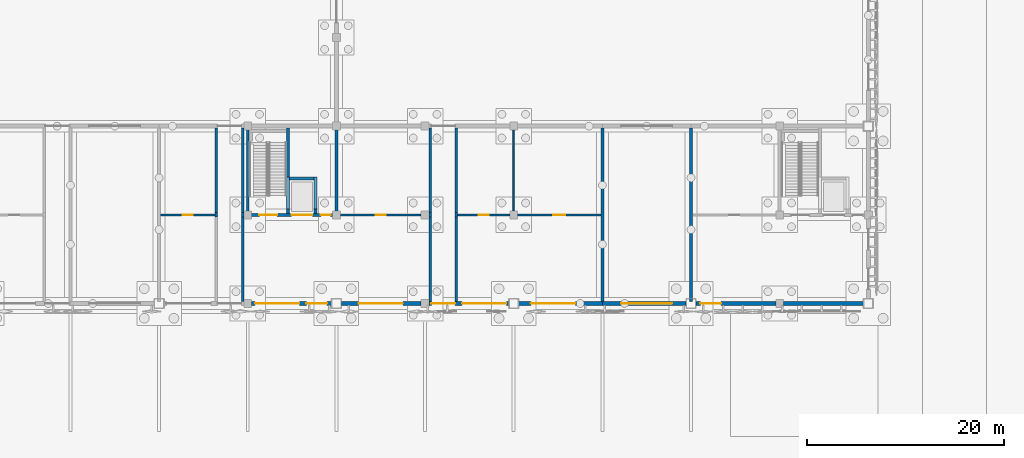
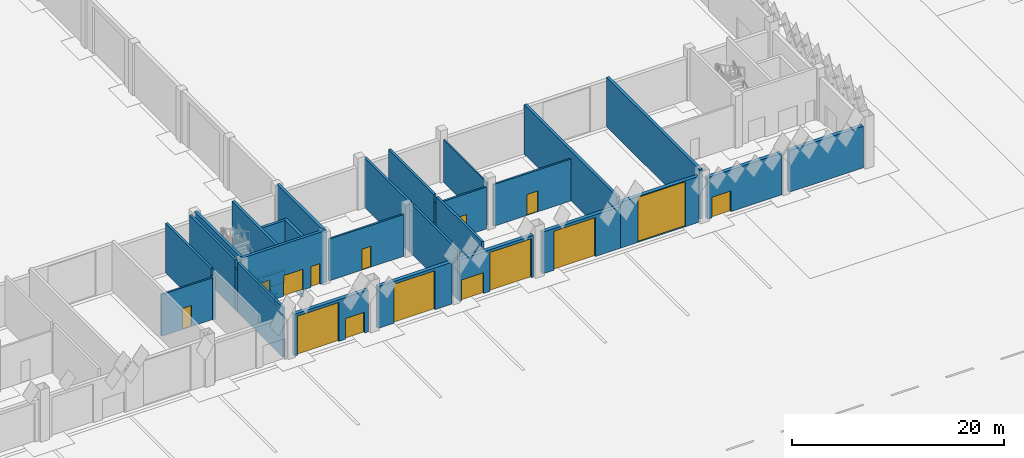
# One storey, part 87 of 198: 34 walls, 15 doors, 15 openings.
"""IFC4 building model written with IfcOpenShell, lengths in metres."""

import ifcopenshell
import ifcopenshell.guid

model = None  # the IFC model being written
_history = None  # IfcOwnerHistory: only IFC2X3 demands one
_inside = {}  # id of a spatial element -> (the spatial element, [elements in it])
_under = {}  # id of a project, library or spatial element -> (it, [spatial elements below it])
_declared = {}  # id of a project -> (the project, [libraries it declares])
_typed = {}  # id of a type object -> (the type object, [elements of that type])
_made_of = {}  # id of a material, layer set ... -> (it, [elements and type objects made of it])


def new_model(schema):
    """Start an empty IFC model of exactly this schema.

    Asked for "IFC4X3", IfcOpenShell would pick the latest addendum, in which some entities
    have other attributes; the version numbers below select the first issue.
    IFC2X3 requires an IfcOwnerHistory on every rooted entity: one is made here for all.
    """
    global model, _history
    if schema == "IFC4X3":
        model = ifcopenshell.file(schema_version=(4, 3, 0, 0))
    else:
        model = ifcopenshell.file(schema=schema)
    _inside.clear()
    _under.clear()
    _declared.clear()
    _typed.clear()
    _made_of.clear()
    _history = None
    if model.schema == "IFC2X3":
        org = make("IfcOrganization", Name="unknown")
        user = make(
            "IfcPersonAndOrganization",
            ThePerson=make("IfcPerson", FamilyName="unknown"),
            TheOrganization=org,
        )
        app = make(
            "IfcApplication",
            ApplicationDeveloper=org,
            Version="unknown",
            ApplicationFullName="unknown",
            ApplicationIdentifier="unknown",
        )
        _history = make(
            "IfcOwnerHistory",
            OwningUser=user,
            OwningApplication=app,
            ChangeAction="ADDED",
            CreationDate=0,
        )
    return model


def make(cls, **values):
    """One entity of the class cls with the attributes given. An attribute that is None is left unset."""
    return model.create_entity(
        cls, **{name: value for name, value in values.items() if value is not None}
    )


def rooted(cls, **values):
    """An entity with a GlobalId (a new one), such as an element, a storey or a relation."""
    return make(cls, GlobalId=ifcopenshell.guid.new(), OwnerHistory=_history, **values)


def si_unit(unit_type, name, prefix=None):
    """IfcSIUnit, for example si_unit("LENGTHUNIT", "METRE", prefix="MILLI")."""
    return make("IfcSIUnit", UnitType=unit_type, Prefix=prefix, Name=name)


def assignment(units):
    """IfcUnitAssignment: the units of a project."""
    return None if units is None else make("IfcUnitAssignment", Units=units)


def point(xyz):
    """IfcCartesianPoint."""
    return None if xyz is None else make("IfcCartesianPoint", Coordinates=xyz)


def direction(xyz):
    """IfcDirection."""
    return None if xyz is None else make("IfcDirection", DirectionRatios=xyz)


def frame(location, z_axis=None, x_axis=None):
    """IfcAxis2Placement3D, a coordinate frame: its origin and axes. An axis left out is left unset."""
    return make(
        "IfcAxis2Placement3D",
        Location=point(location),
        Axis=direction(z_axis),
        RefDirection=direction(x_axis),
    )


def frame_2d(location, x_axis=None):
    """IfcAxis2Placement2D, a coordinate frame in the plane: its origin and x axis."""
    return make(
        "IfcAxis2Placement2D", Location=point(location), RefDirection=direction(x_axis)
    )


def origin():
    """The frame at (0, 0, 0) with its axes left unset."""
    return frame((0.0, 0.0, 0.0))


def place(relative_to, where):
    """IfcLocalPlacement: puts the frame where relative to a parent placement (None: the world)."""
    return make(
        "IfcLocalPlacement", PlacementRelTo=relative_to, RelativePlacement=where
    )


def context(
    kind, dimensions, precision=None, world=None, true_north=None, identifier=None
):
    """IfcGeometricRepresentationContext, for example the 3D "Model" context."""
    return make(
        "IfcGeometricRepresentationContext",
        ContextIdentifier=identifier,
        ContextType=kind,
        CoordinateSpaceDimension=dimensions,
        Precision=precision,
        WorldCoordinateSystem=world,
        TrueNorth=true_north,
    )


def subcontext(parent, identifier, kind, view, scale=None):
    """IfcGeometricRepresentationSubContext, for example "Body" below "Model"."""
    return make(
        "IfcGeometricRepresentationSubContext",
        ContextIdentifier=identifier,
        ContextType=kind,
        ParentContext=parent,
        TargetScale=scale,
        TargetView=view,
    )


def project(units=None, contexts=None):
    """IfcProject with its units and contexts."""
    return rooted(
        "IfcProject",
        Name="project",
        RepresentationContexts=contexts,
        UnitsInContext=assignment(units),
    )


def spatial(cls, under=None, at=None, **own):
    """A site, building, storey or space (cls), placed at a placement, below another one or the project."""
    s = rooted(cls, ObjectPlacement=at, **own)
    if under is not None:
        _under.setdefault(under.id(), (under, []))[1].append(s)
    return s


def profile(cls, at=None, kind="AREA", **sizes):
    """A parametric profile (cls). Its sizes go by their IFC names, for example OverallWidth=200.0."""
    return make(cls, ProfileType=kind, Position=at, **sizes)


def rectangle(**sizes):
    """IfcRectangleProfileDef."""
    return profile("IfcRectangleProfileDef", **sizes)


def extrude(swept, where, along, depth):
    """IfcExtrudedAreaSolid: the profile swept, set in the frame where, extruded along a direction by depth."""
    return make(
        "IfcExtrudedAreaSolid",
        SweptArea=swept,
        Position=where,
        ExtrudedDirection=direction(along),
        Depth=depth,
    )


def shape(context_of_items, identifier, shape_type, items):
    """IfcShapeRepresentation: the items that make up one representation, for example the "Body"."""
    return make(
        "IfcShapeRepresentation",
        ContextOfItems=context_of_items,
        RepresentationIdentifier=identifier,
        RepresentationType=shape_type,
        Items=items,
    )


def material(Name=None, Category=None):
    """IfcMaterial."""
    return make("IfcMaterial", Name=Name, Category=Category)


def layer(
    of_material, thickness, ventilated=None, Name=None, Category=None, Priority=None
):
    """IfcMaterialLayer: one layer of a wall or slab, of a material (None: an air gap)."""
    return make(
        "IfcMaterialLayer",
        Material=of_material,
        LayerThickness=thickness,
        IsVentilated=ventilated,
        Name=Name,
        Category=Category,
        Priority=Priority,
    )


def layer_set(layers, Name=None):
    """IfcMaterialLayerSet."""
    return make("IfcMaterialLayerSet", MaterialLayers=layers, LayerSetName=Name)


def made_of(thing, what):
    """Note that an element or type object is made of a material, layer set ...; save() writes the relation."""
    if what is not None:
        _made_of.setdefault(what.id(), (what, []))[1].append(thing)
    return thing


def type_object(cls, material=None, **own):
    """A type object (cls), such as IfcWallType, which elements share."""
    return made_of(rooted(cls, **own), material)


def element(
    cls,
    number,
    at=None,
    inside=None,
    cuts=None,
    type_object=None,
    material=None,
    context=None,
    identifier="Body",
    shape_type=None,
    held_by="IfcProductDefinitionShape",
    body=None,
    shapes=None,
    **own,
):
    """One element of the class cls, such as IfcWall. Its Tag is "e" and its number.

    at: its placement. inside: the storey or other place that contains it. cuts: it is an
    opening in that element (IfcRelVoidsElement). A single representation is given by context,
    identifier, shape_type and body (its items); several are given by shapes. held_by: the class
    of the entity that holds the representations. save() writes the other relations.
    """
    e = rooted(cls, Tag="e%d" % number, ObjectPlacement=at, **own)
    if body is not None:
        shapes = [shape(context, identifier, shape_type, body)]
    if shapes is not None:
        e.Representation = make(held_by, Representations=shapes)
    if inside is not None:
        _inside.setdefault(inside.id(), (inside, []))[1].append(e)
    if cuts is not None:
        rooted(
            "IfcRelVoidsElement", RelatingBuildingElement=cuts, RelatedOpeningElement=e
        )
    if type_object is not None:
        _typed.setdefault(type_object.id(), (type_object, []))[1].append(e)
    return made_of(e, material)


def fill(opening, filler):
    """IfcRelFillsElement: the door or window that sits in an opening."""
    return rooted(
        "IfcRelFillsElement",
        RelatingOpeningElement=opening,
        RelatedBuildingElement=filler,
    )


def aggregate(whole, parts):
    """IfcRelAggregates: a whole, such as a stair, and the parts it consists of."""
    return rooted("IfcRelAggregates", RelatingObject=whole, RelatedObjects=parts)


def save(model, path):
    """Write the relations noted so far, then the file.

    IfcRelAggregates (storeys below a building ...), IfcRelContainedInSpatialStructure (elements
    in a storey), IfcRelDefinesByType, IfcRelAssociatesMaterial and IfcRelDeclares: one each for
    every whole, place, type object, material and project.
    """
    for whole, parts in _under.values():
        aggregate(whole, parts)
    for where, things in _inside.values():
        rooted(
            "IfcRelContainedInSpatialStructure",
            RelatedElements=things,
            RelatingStructure=where,
        )
    for kind, things in _typed.values():
        rooted("IfcRelDefinesByType", RelatedObjects=things, RelatingType=kind)
    for what, things in _made_of.values():
        rooted("IfcRelAssociatesMaterial", RelatedObjects=things, RelatingMaterial=what)
    for by, libraries in _declared.values():
        rooted("IfcRelDeclares", RelatingContext=by, RelatedDefinitions=libraries)
    model.write(path)


model = new_model("IFC4")

# Units and contexts
model_context = context("Model", 3, precision=1e-05, world=origin(), true_north=direction((0.0, 1.0)))
body_context = subcontext(model_context, "Body", "Model", "MODEL_VIEW")
ifc_project = project(units=[si_unit("LENGTHUNIT", "METRE"), si_unit("AREAUNIT", "SQUARE_METRE"), si_unit("VOLUMEUNIT", "CUBIC_METRE"), si_unit("PLANEANGLEUNIT", "RADIAN"), si_unit("MASSUNIT", "GRAM", prefix="KILO")], contexts=[model_context])

# Site, building, storey
site_placement = place(None, origin())
site = spatial("IfcSite", under=ifc_project, at=site_placement, CompositionType="ELEMENT")
building_placement = place(site_placement, origin())
building = spatial("IfcBuilding", under=site, at=building_placement, Name="Opaline Strait Convention Centre", CompositionType="ELEMENT")
storey_placement = place(building_placement, origin())
storey = spatial("IfcBuildingStorey", under=building, at=storey_placement, Name="L00", CompositionType="ELEMENT", Elevation=0.0)

# Wall, openings, doors
ifc_material_1 = material(Name="Concrete C40", Category="concrete")
ifc_layer_1 = layer(ifc_material_1, 0.25)
ifc_material_2 = material(Name="Mineral wool insulation")
ifc_layer_2 = layer(ifc_material_2, 0.10009765625)
ifc_material_3 = material(Name="Gypsum board lining")
ifc_layer_3 = layer(ifc_material_3, 0.050048828125)
ifc_layer_set_1 = layer_set([ifc_layer_1, ifc_layer_2, ifc_layer_3], Name="Concrete C40, Mineral wool insulation, Gypsum board lining")
wall_type_1 = type_object("IfcWallType", Name="External wall RC 400 insulated", PredefinedType="SOLIDWALL", material=ifc_layer_set_1)
wall_1_placement = place(storey_placement, frame((198.39990234375, 54.0, 0.0), z_axis=(0.0, 0.0, 1.0), x_axis=(1.0, 0.0, 0.0)))
wall_1 = element("IfcWall", 1, at=wall_1_placement, inside=storey, type_object=wall_type_1, Name="External wall S12", PredefinedType="SOLIDWALL", context=body_context, shape_type="SweptSolid", body=[
    extrude(rectangle(XDim=8.10009765625, YDim=0.39990234375, at=frame_2d((4.050048828125, 0.0))), origin(), (0.0, 0.0, 1.0), 4.820068359375),
])
opening_1_placement = place(wall_1_placement, frame((0.35009765625, 0.0, 0.0)))
opening_1 = element("IfcOpeningElement", 2, at=opening_1_placement, cuts=wall_1, Name="Opening X0-022", PredefinedType="OPENING", context=body_context, shape_type="SweptSolid", body=[
    extrude(rectangle(XDim=4.5, YDim=4.5, at=frame_2d((2.25, 2.25))), frame((0.0, 0.2099609375, 0.0), z_axis=(0.0, -1.0, 0.0), x_axis=(1.0, 0.0, 0.0)), (0.0, 0.0, 1.0), 0.419921875),
])
opening_2_placement = place(wall_1_placement, frame((5.550048828125, 0.0, 0.0)))
opening_2 = element("IfcOpeningElement", 3, at=opening_2_placement, cuts=wall_1, Name="Opening X0-023", PredefinedType="OPENING", context=body_context, shape_type="SweptSolid", body=[
    extrude(rectangle(XDim=2.10009765625, YDim=2.39990234375, at=frame_2d((1.050048828125, 1.199951171875))), frame((0.0, 0.2099609375, 0.0), z_axis=(0.0, -1.0, 0.0), x_axis=(1.0, 0.0, 0.0)), (0.0, 0.0, 1.0), 0.419921875),
])
ifc_material_4 = material(Name="Galvanised steel Q235B", Category="steel")
door_type_1 = type_object("IfcDoorType", Name="Dock leveller door 4500 x 4500", OperationType="ROLLINGUP", PredefinedType="DOOR", material=ifc_material_4)
door_1_placement = place(opening_1_placement, origin())
door_1 = element("IfcDoor", 4, at=door_1_placement, inside=storey, type_object=door_type_1, Name="Dock leveller door 13", ObjectType="XD5", OperationType="ROLLINGUP", OverallHeight=4.5, OverallWidth=4.5, PredefinedType="DOOR", context=body_context, shape_type="SweptSolid", body=[
    extrude(rectangle(XDim=4.5, YDim=4.5, at=frame_2d((2.25, 2.25))), frame((0.0, 0.02490234375, 0.0), z_axis=(0.0, -1.0, 0.0), x_axis=(1.0, 0.0, 0.0)), (0.0, 0.0, 1.0), 0.050048828125),
])
fill(opening_1, door_1)
ifc_material_5 = material(Name="Steel Q235B", Category="steel")
door_type_2 = type_object("IfcDoorType", Name="Dock pedestrian door pair 2100 x 2400", OperationType="DOUBLE_DOOR_SINGLE_SWING", PredefinedType="DOOR", material=ifc_material_5)
door_2_placement = place(opening_2_placement, frame((2.10009765625, 0.0, 0.0), z_axis=(0.0, 0.0, 1.0), x_axis=(-1.0, 0.0, 0.0)))
door_2 = element("IfcDoor", 5, at=door_2_placement, inside=storey, type_object=door_type_2, Name="Dock pedestrian door 14", ObjectType="XD6", OperationType="DOUBLE_DOOR_SINGLE_SWING", OverallHeight=2.39990234375, OverallWidth=2.10009765625, PredefinedType="DOOR", context=body_context, shape_type="SweptSolid", body=[
    extrude(rectangle(XDim=2.10009765625, YDim=2.39990234375, at=frame_2d((1.050048828125, 1.199951171875))), frame((0.0, 0.02490234375, 0.0), z_axis=(0.0, -1.0, 0.0), x_axis=(1.0, 0.0, 0.0)), (0.0, 0.0, 1.0), 0.050048828125),
])
fill(opening_2, door_2)

# Wall, opening, door
wall_2_placement = place(storey_placement, frame((207.5, 54.0, 0.0), z_axis=(0.0, 0.0, 1.0), x_axis=(1.0, 0.0, 0.0)))
wall_2 = element("IfcWall", 6, at=wall_2_placement, inside=storey, type_object=wall_type_1, Name="External wall S13", PredefinedType="SOLIDWALL", context=body_context, shape_type="SweptSolid", body=[
    extrude(rectangle(XDim=8.10009765625, YDim=0.39990234375, at=frame_2d((4.050048828125, 0.0))), origin(), (0.0, 0.0, 1.0), 4.820068359375),
])
opening_3_placement = place(wall_2_placement, frame((1.75, 0.0, 0.0)))
opening_3 = element("IfcOpeningElement", 7, at=opening_3_placement, cuts=wall_2, Name="Opening X0-024", PredefinedType="OPENING", context=body_context, shape_type="SweptSolid", body=[
    extrude(rectangle(XDim=4.5, YDim=4.5, at=frame_2d((2.25, 2.25))), frame((0.0, 0.2099609375, 0.0), z_axis=(0.0, -1.0, 0.0), x_axis=(1.0, 0.0, 0.0)), (0.0, 0.0, 1.0), 0.419921875),
])
door_3_placement = place(opening_3_placement, origin())
door_3 = element("IfcDoor", 8, at=door_3_placement, inside=storey, type_object=door_type_1, Name="Dock leveller door 15", ObjectType="XD5", OperationType="ROLLINGUP", OverallHeight=4.5, OverallWidth=4.5, PredefinedType="DOOR", context=body_context, shape_type="SweptSolid", body=[
    extrude(rectangle(XDim=4.5, YDim=4.5, at=frame_2d((2.25, 2.25))), frame((0.0, 0.02490234375, 0.0), z_axis=(0.0, -1.0, 0.0), x_axis=(1.0, 0.0, 0.0)), (0.0, 0.0, 1.0), 0.050048828125),
])
fill(opening_3, door_3)

# Wall, openings, doors
wall_3_placement = place(storey_placement, frame((216.39990234375, 54.0, 0.0), z_axis=(0.0, 0.0, 1.0), x_axis=(1.0, 0.0, 0.0)))
wall_3 = element("IfcWall", 9, at=wall_3_placement, inside=storey, type_object=wall_type_1, Name="External wall S14", PredefinedType="SOLIDWALL", context=body_context, shape_type="SweptSolid", body=[
    extrude(rectangle(XDim=8.10009765625, YDim=0.39990234375, at=frame_2d((4.050048828125, 0.0))), origin(), (0.0, 0.0, 1.0), 4.820068359375),
])
opening_4_placement = place(wall_3_placement, frame((3.35009765625, 0.0, 0.0)))
opening_4 = element("IfcOpeningElement", 10, at=opening_4_placement, cuts=wall_3, Name="Opening X0-025", PredefinedType="OPENING", context=body_context, shape_type="SweptSolid", body=[
    extrude(rectangle(XDim=4.5, YDim=4.5, at=frame_2d((2.25, 2.25))), frame((0.0, 0.2099609375, 0.0), z_axis=(0.0, -1.0, 0.0), x_axis=(1.0, 0.0, 0.0)), (0.0, 0.0, 1.0), 0.419921875),
])
opening_5_placement = place(wall_3_placement, frame((0.25, 0.0, 0.0)))
opening_5 = element("IfcOpeningElement", 11, at=opening_5_placement, cuts=wall_3, Name="Opening X0-033", PredefinedType="OPENING", context=body_context, shape_type="SweptSolid", body=[
    extrude(rectangle(XDim=2.39990234375, YDim=2.39990234375, at=frame_2d((1.199951171875, 1.199951171875))), frame((0.0, 0.2099609375, 0.0), z_axis=(0.0, -1.0, 0.0), x_axis=(1.0, 0.0, 0.0)), (0.0, 0.0, 1.0), 0.419921875),
])
door_4_placement = place(opening_4_placement, origin())
door_4 = element("IfcDoor", 12, at=door_4_placement, inside=storey, type_object=door_type_1, Name="Dock leveller door 16", ObjectType="XD5", OperationType="ROLLINGUP", OverallHeight=4.5, OverallWidth=4.5, PredefinedType="DOOR", context=body_context, shape_type="SweptSolid", body=[
    extrude(rectangle(XDim=4.5, YDim=4.5, at=frame_2d((2.25, 2.25))), frame((0.0, 0.02490234375, 0.0), z_axis=(0.0, -1.0, 0.0), x_axis=(1.0, 0.0, 0.0)), (0.0, 0.0, 1.0), 0.050048828125),
])
fill(opening_4, door_4)
door_type_3 = type_object("IfcDoorType", Name="Passage exit door pair 2400 x 2400", OperationType="DOUBLE_DOOR_SINGLE_SWING", PredefinedType="DOOR", material=ifc_material_5)
door_5_placement = place(opening_5_placement, frame((2.39990234375, 0.0, 0.0), z_axis=(0.0, 0.0, 1.0), x_axis=(-1.0, 0.0, 0.0)))
door_5 = element("IfcDoor", 13, at=door_5_placement, inside=storey, type_object=door_type_3, Name="Passage exit door 5", ObjectType="XD15", OperationType="DOUBLE_DOOR_SINGLE_SWING", OverallHeight=2.39990234375, OverallWidth=2.39990234375, PredefinedType="DOOR", context=body_context, shape_type="SweptSolid", body=[
    extrude(rectangle(XDim=2.39990234375, YDim=2.39990234375, at=frame_2d((1.199951171875, 1.199951171875))), frame((0.0, 0.02490234375, 0.0), z_axis=(0.0, -1.0, 0.0), x_axis=(1.0, 0.0, 0.0)), (0.0, 0.0, 1.0), 0.050048828125),
])
fill(opening_5, door_5)

# Wall, opening, door
wall_4_placement = place(storey_placement, frame((225.5, 54.0, 0.0), z_axis=(0.0, 0.0, 1.0), x_axis=(1.0, 0.0, 0.0)))
wall_4 = element("IfcWall", 14, at=wall_4_placement, inside=storey, type_object=wall_type_1, Name="External wall S15", PredefinedType="SOLIDWALL", context=body_context, shape_type="SweptSolid", body=[
    extrude(rectangle(XDim=8.5, YDim=0.39990234375, at=frame_2d((4.25, 0.0))), origin(), (0.0, 0.0, 1.0), 4.820068359375),
])
opening_6_placement = place(wall_4_placement, frame((1.25, 0.0, 0.0)))
opening_6 = element("IfcOpeningElement", 15, at=opening_6_placement, cuts=wall_4, Name="Opening X0-026", PredefinedType="OPENING", context=body_context, shape_type="SweptSolid", body=[
    extrude(rectangle(XDim=4.5, YDim=4.5, at=frame_2d((2.25, 2.25))), frame((0.0, 0.2099609375, 0.0), z_axis=(0.0, -1.0, 0.0), x_axis=(1.0, 0.0, 0.0)), (0.0, 0.0, 1.0), 0.419921875),
])
door_6_placement = place(opening_6_placement, origin())
door_6 = element("IfcDoor", 16, at=door_6_placement, inside=storey, type_object=door_type_1, Name="Dock leveller door 17", ObjectType="XD5", OperationType="ROLLINGUP", OverallHeight=4.5, OverallWidth=4.5, PredefinedType="DOOR", context=body_context, shape_type="SweptSolid", body=[
    extrude(rectangle(XDim=4.5, YDim=4.5, at=frame_2d((2.25, 2.25))), frame((0.0, 0.02490234375, 0.0), z_axis=(0.0, -1.0, 0.0), x_axis=(1.0, 0.0, 0.0)), (0.0, 0.0, 1.0), 0.050048828125),
])
fill(opening_6, door_6)

wall_5_placement = place(storey_placement, frame((234.0, 54.0, 0.0), z_axis=(0.0, 0.0, 1.0), x_axis=(1.0, 0.0, 0.0)))
wall_5 = element("IfcWall", 17, at=wall_5_placement, inside=storey, type_object=wall_type_1, Name="External wall S16", PredefinedType="SOLIDWALL", context=body_context, shape_type="SweptSolid", body=[
    extrude(rectangle(XDim=8.5, YDim=0.39990234375, at=frame_2d((4.25, 0.0))), origin(), (0.0, 0.0, 1.0), 5.300048828125),
])
opening_7_placement = place(wall_5_placement, frame((1.89990234375, 0.0, 0.0)))
opening_7 = element("IfcOpeningElement", 18, at=opening_7_placement, cuts=wall_5, Name="Opening X0-027", PredefinedType="OPENING", context=body_context, shape_type="SweptSolid", body=[
    extrude(rectangle(XDim=5.199951171875, YDim=5.199951171875, at=frame_2d((2.60009765625, 2.60009765625))), frame((0.0, 0.2099609375, 0.0), z_axis=(0.0, -1.0, 0.0), x_axis=(1.0, 0.0, 0.0)), (0.0, 0.0, 1.0), 0.419921875),
])
door_type_4 = type_object("IfcDoorType", Name="Freight door 5200 x 5200", OperationType="ROLLINGUP", PredefinedType="DOOR", material=ifc_material_4)
door_7_placement = place(opening_7_placement, origin())
door_7 = element("IfcDoor", 19, at=door_7_placement, inside=storey, type_object=door_type_4, Name="Freight door tunnel 18", ObjectType="XD4", OperationType="ROLLINGUP", OverallHeight=5.199951171875, OverallWidth=5.199951171875, PredefinedType="DOOR", context=body_context, shape_type="SweptSolid", body=[
    extrude(rectangle(XDim=5.199951171875, YDim=5.199951171875, at=frame_2d((2.60009765625, 2.60009765625))), frame((0.0, 0.02490234375, 0.0), z_axis=(0.0, -1.0, 0.0), x_axis=(1.0, 0.0, 0.0)), (0.0, 0.0, 1.0), 0.050048828125),
])
fill(opening_7, door_7)

wall_6_placement = place(storey_placement, frame((243.5, 54.0, 0.0), z_axis=(0.0, 0.0, 1.0), x_axis=(1.0, 0.0, 0.0)))
wall_6 = element("IfcWall", 20, at=wall_6_placement, inside=storey, type_object=wall_type_1, Name="External wall S17", PredefinedType="SOLIDWALL", context=body_context, shape_type="SweptSolid", body=[
    extrude(rectangle(XDim=8.10009765625, YDim=0.39990234375, at=frame_2d((4.050048828125, 0.0))), origin(), (0.0, 0.0, 1.0), 4.820068359375),
])
opening_8_placement = place(wall_6_placement, frame((0.449951171875, 0.0, 0.0)))
opening_8 = element("IfcOpeningElement", 21, at=opening_8_placement, cuts=wall_6, Name="Opening X0-028", PredefinedType="OPENING", context=body_context, shape_type="SweptSolid", body=[
    extrude(rectangle(XDim=2.10009765625, YDim=2.39990234375, at=frame_2d((1.050048828125, 1.199951171875))), frame((0.0, 0.2099609375, 0.0), z_axis=(0.0, -1.0, 0.0), x_axis=(1.0, 0.0, 0.0)), (0.0, 0.0, 1.0), 0.419921875),
])
door_8_placement = place(opening_8_placement, frame((2.10009765625, 0.0, 0.0), z_axis=(0.0, 0.0, 1.0), x_axis=(-1.0, 0.0, 0.0)))
door_8 = element("IfcDoor", 22, at=door_8_placement, inside=storey, type_object=door_type_2, Name="Dock pedestrian door 19", ObjectType="XD6", OperationType="DOUBLE_DOOR_SINGLE_SWING", OverallHeight=2.39990234375, OverallWidth=2.10009765625, PredefinedType="DOOR", context=body_context, shape_type="SweptSolid", body=[
    extrude(rectangle(XDim=2.10009765625, YDim=2.39990234375, at=frame_2d((1.050048828125, 1.199951171875))), frame((0.0, 0.02490234375, 0.0), z_axis=(0.0, -1.0, 0.0), x_axis=(1.0, 0.0, 0.0)), (0.0, 0.0, 1.0), 0.050048828125),
])
fill(opening_8, door_8)

# Walls
wall_7_placement = place(storey_placement, frame((252.39990234375, 54.0, 0.0), z_axis=(0.0, 0.0, 1.0), x_axis=(1.0, 0.0, 0.0)))
element("IfcWall", 23, at=wall_7_placement, inside=storey, type_object=wall_type_1, Name="External wall S18", PredefinedType="SOLIDWALL", context=body_context, shape_type="SweptSolid", body=[
    extrude(rectangle(XDim=8.10009765625, YDim=0.39990234375, at=frame_2d((4.050048828125, 0.0))), origin(), (0.0, 0.0, 1.0), 4.820068359375),
])
ifc_layer_4 = layer(ifc_material_1, 0.300048828125)
ifc_layer_set_2 = layer_set([ifc_layer_4], Name="Concrete C40")
wall_type_2 = type_object("IfcWallType", Name="Lift pit wall RC 300 C40", PredefinedType="SHEAR", material=ifc_layer_set_2)
for number, where, z_axis, x_axis, name in (
    (24, (202.10009765625, 63.60009765625, -1.39990234375), (0.0, 0.0, 1.0), (0.0, 1.0, 0.0), "EXB-LPW-3-W"),
    (25, (204.89990234375, 63.60009765625, -1.39990234375), (0.0, 0.0, 1.0), (0.0, 1.0, 0.0), "EXB-LPW-3-E"),
):
    element("IfcWall", number, at=place(storey_placement, frame(where, z_axis=z_axis, x_axis=x_axis)), inside=storey, type_object=wall_type_2, Name=name, PredefinedType="SHEAR", context=body_context, shape_type="SweptSolid", body=[
        extrude(rectangle(XDim=3.25, YDim=0.300048828125, at=frame_2d((1.625, 0.0))), origin(), (0.0, 0.0, 1.0), 1.39990234375),
    ])
wall_8_placement = place(storey_placement, frame((202.25, 66.699951171875, -1.39990234375), z_axis=(0.0, 0.0, 1.0), x_axis=(1.0, 0.0, 0.0)))
element("IfcWall", 26, at=wall_8_placement, inside=storey, type_object=wall_type_2, Name="EXB-LPW-3-N", PredefinedType="SHEAR", context=body_context, shape_type="SweptSolid", body=[
    extrude(rectangle(XDim=2.5, YDim=0.300048828125, at=frame_2d((1.25, 0.0))), origin(), (0.0, 0.0, 1.0), 1.39990234375),
])
ifc_layer_5 = layer(ifc_material_1, 0.300048828125)
ifc_layer_set_3 = layer_set([ifc_layer_5], Name="Concrete C40")
wall_type_3 = type_object("IfcWallType", Name="Lift shaft wall RC 300 C40", PredefinedType="SHEAR", material=ifc_layer_set_3)
wall_9_placement = place(storey_placement, frame((202.10009765625, 63.14990234375, 0.0), z_axis=(0.0, 0.0, 1.0), x_axis=(0.0, 1.0, 0.0)))
element("IfcWall", 27, at=wall_9_placement, inside=storey, type_object=wall_type_3, Name="EXB-LS-3-W1-L00", PredefinedType="SHEAR", context=body_context, shape_type="SweptSolid", body=[
    extrude(rectangle(XDim=8.650146484375, YDim=0.300048828125, at=frame_2d((4.3251953125, 0.0))), origin(), (0.0, 0.0, 1.0), 5.719970703125),
])
wall_10_placement = place(storey_placement, frame((204.89990234375, 63.14990234375, 0.0), z_axis=(0.0, 0.0, 1.0), x_axis=(0.0, 1.0, 0.0)))
element("IfcWall", 28, at=wall_10_placement, inside=storey, type_object=wall_type_3, Name="EXB-LS-3-W2-L00", PredefinedType="SHEAR", context=body_context, shape_type="SweptSolid", body=[
    extrude(rectangle(XDim=3.7001953125, YDim=0.300048828125, at=frame_2d((1.85009765625, 0.0))), origin(), (0.0, 0.0, 1.0), 5.719970703125),
])
wall_11_placement = place(storey_placement, frame((202.25, 66.699951171875, 0.0), z_axis=(0.0, 0.0, 1.0), x_axis=(1.0, 0.0, 0.0)))
element("IfcWall", 29, at=wall_11_placement, inside=storey, type_object=wall_type_3, Name="EXB-LS-3-N-L00", PredefinedType="SHEAR", context=body_context, shape_type="SweptSolid", body=[
    extrude(rectangle(XDim=2.5, YDim=0.300048828125, at=frame_2d((1.25, 0.0))), origin(), (0.0, 0.0, 1.0), 5.719970703125),
])
ifc_material_6 = material(Name="Lightweight blockwork", Category="masonry")
ifc_layer_6 = layer(ifc_material_6, 0.25)
ifc_layer_set_4 = layer_set([ifc_layer_6], Name="Lightweight blockwork")
wall_type_4 = type_object("IfcWallType", Name="Partition EI 120 blockwork 250", PredefinedType="PARTITIONING", material=ifc_layer_set_4)
wall_12_placement = place(storey_placement, frame((194.824951171875, 62.77490234375, 0.0), z_axis=(0.0, 0.0, 1.0), x_axis=(0.0, 1.0, 0.0)))
element("IfcWall", 30, at=wall_12_placement, inside=storey, type_object=wall_type_4, Name="Exit passage 4 wall", PredefinedType="PARTITIONING", context=body_context, shape_type="SweptSolid", body=[
    extrude(rectangle(XDim=0.4501953125, YDim=0.25, at=frame_2d((0.22509765625, 0.0))), origin(), (0.0, 0.0, 1.0), 4.820068359375),
])
for number, where, z_axis, x_axis, name in (
    (31, (194.824951171875, 63.22509765625, 0.0), (0.0, 0.0, 1.0), (0.0, 1.0, 0.0), "Exit passage 4 wall"),
    (32, (197.47509765625, 54.199951171875, 0.0), (0.0, 0.0, 1.0), (0.0, 1.0, 0.0), "Exit passage 4 wall"),
):
    element("IfcWall", number, at=place(storey_placement, frame(where, z_axis=z_axis, x_axis=x_axis)), inside=storey, type_object=wall_type_4, Name=name, PredefinedType="PARTITIONING", context=body_context, shape_type="SweptSolid", body=[
        extrude(rectangle(XDim=8.574951171875, YDim=0.25, at=frame_2d((4.28759765625, 0.0))), origin(), (0.0, 0.0, 1.0), 5.719970703125),
    ])
wall_13_placement = place(storey_placement, frame((197.47509765625, 62.77490234375, 0.0), z_axis=(0.0, 0.0, 1.0), x_axis=(0.0, 1.0, 0.0)))
element("IfcWall", 33, at=wall_13_placement, inside=storey, type_object=wall_type_4, Name="Exit passage 4 wall", PredefinedType="PARTITIONING", context=body_context, shape_type="SweptSolid", body=[
    extrude(rectangle(XDim=0.4501953125, YDim=0.25, at=frame_2d((0.22509765625, 0.0))), origin(), (0.0, 0.0, 1.0), 4.820068359375),
])
for number, where, z_axis, x_axis, name in (
    (34, (197.47509765625, 63.22509765625, 0.0), (0.0, 0.0, 1.0), (0.0, 1.0, 0.0), "Exit passage 4 wall"),
    (35, (216.52490234375, 54.199951171875, 0.0), (0.0, 0.0, 1.0), (0.0, 1.0, 0.0), "Exit passage 5 wall"),
):
    element("IfcWall", number, at=place(storey_placement, frame(where, z_axis=z_axis, x_axis=x_axis)), inside=storey, type_object=wall_type_4, Name=name, PredefinedType="PARTITIONING", context=body_context, shape_type="SweptSolid", body=[
        extrude(rectangle(XDim=8.574951171875, YDim=0.25, at=frame_2d((4.28759765625, 0.0))), origin(), (0.0, 0.0, 1.0), 5.719970703125),
    ])
wall_14_placement = place(storey_placement, frame((216.52490234375, 62.77490234375, 0.0), z_axis=(0.0, 0.0, 1.0), x_axis=(0.0, 1.0, 0.0)))
element("IfcWall", 36, at=wall_14_placement, inside=storey, type_object=wall_type_4, Name="Exit passage 5 wall", PredefinedType="PARTITIONING", context=body_context, shape_type="SweptSolid", body=[
    extrude(rectangle(XDim=0.4501953125, YDim=0.25, at=frame_2d((0.22509765625, 0.0))), origin(), (0.0, 0.0, 1.0), 4.820068359375),
])
for number, where, z_axis, x_axis, name in (
    (37, (216.52490234375, 63.22509765625, 0.0), (0.0, 0.0, 1.0), (0.0, 1.0, 0.0), "Exit passage 5 wall"),
    (38, (219.175048828125, 54.199951171875, 0.0), (0.0, 0.0, 1.0), (0.0, 1.0, 0.0), "Exit passage 5 wall"),
):
    element("IfcWall", number, at=place(storey_placement, frame(where, z_axis=z_axis, x_axis=x_axis)), inside=storey, type_object=wall_type_4, Name=name, PredefinedType="PARTITIONING", context=body_context, shape_type="SweptSolid", body=[
        extrude(rectangle(XDim=8.574951171875, YDim=0.25, at=frame_2d((4.28759765625, 0.0))), origin(), (0.0, 0.0, 1.0), 5.719970703125),
    ])
wall_15_placement = place(storey_placement, frame((219.175048828125, 62.77490234375, 0.0), z_axis=(0.0, 0.0, 1.0), x_axis=(0.0, 1.0, 0.0)))
element("IfcWall", 39, at=wall_15_placement, inside=storey, type_object=wall_type_4, Name="Exit passage 5 wall", PredefinedType="PARTITIONING", context=body_context, shape_type="SweptSolid", body=[
    extrude(rectangle(XDim=0.4501953125, YDim=0.25, at=frame_2d((0.22509765625, 0.0))), origin(), (0.0, 0.0, 1.0), 4.820068359375),
])
wall_16_placement = place(storey_placement, frame((219.175048828125, 63.22509765625, 0.0), z_axis=(0.0, 0.0, 1.0), x_axis=(0.0, 1.0, 0.0)))
element("IfcWall", 40, at=wall_16_placement, inside=storey, type_object=wall_type_4, Name="Exit passage 5 wall", PredefinedType="PARTITIONING", context=body_context, shape_type="SweptSolid", body=[
    extrude(rectangle(XDim=8.574951171875, YDim=0.25, at=frame_2d((4.28759765625, 0.0))), origin(), (0.0, 0.0, 1.0), 5.719970703125),
])
ifc_layer_7 = layer(ifc_material_6, 0.14990234375)
ifc_layer_set_5 = layer_set([ifc_layer_7], Name="Lightweight blockwork")
wall_type_5 = type_object("IfcWallType", Name="Partition EI 45 blockwork 150", PredefinedType="PARTITIONING", material=ifc_layer_set_5)
wall_17_placement = place(storey_placement, frame((225.0, 63.39990234375, 0.0), z_axis=(0.0, 0.0, 1.0), x_axis=(0.0, 1.0, 0.0)))
element("IfcWall", 41, at=wall_17_placement, inside=storey, type_object=wall_type_5, Name="Back row partition", PredefinedType="PARTITIONING", context=body_context, shape_type="SweptSolid", body=[
    extrude(rectangle(XDim=8.2001953125, YDim=0.14990234375, at=frame_2d((4.10009765625, 0.0))), origin(), (0.0, 0.0, 1.0), 4.919921875),
])

# Wall, opening, door
ifc_layer_8 = layer(ifc_material_6, 0.199951171875)
ifc_layer_set_6 = layer_set([ifc_layer_8], Name="Lightweight blockwork")
wall_type_6 = type_object("IfcWallType", Name="Partition EI 60 blockwork 200", PredefinedType="PARTITIONING", material=ifc_layer_set_6)
wall_18_placement = place(storey_placement, frame((189.14990234375, 63.0, 0.0), z_axis=(0.0, 0.0, 1.0), x_axis=(1.0, 0.0, 0.0)))
wall_18 = element("IfcWall", 42, at=wall_18_placement, inside=storey, type_object=wall_type_6, Name="Dock wall to the back row", PredefinedType="PARTITIONING", context=body_context, shape_type="SweptSolid", body=[
    extrude(rectangle(XDim=5.550048828125, YDim=0.199951171875, at=frame_2d((2.77490234375, 0.0))), origin(), (0.0, 0.0, 1.0), 4.820068359375),
])
opening_9_placement = place(wall_18_placement, frame((2.27490234375, 0.0, 0.014892578125)))
opening_9 = element("IfcOpeningElement", 43, at=opening_9_placement, cuts=wall_18, Name="Opening X0-096", PredefinedType="OPENING", context=body_context, shape_type="SweptSolid", body=[
    extrude(rectangle(XDim=1.0, YDim=2.39990234375, at=frame_2d((0.5, 1.199951171875))), frame((0.0, 0.10986328125, 0.0), z_axis=(0.0, -1.0, 0.0), x_axis=(1.0, 0.0, 0.0)), (0.0, 0.0, 1.0), 0.219970703125),
])
door_type_5 = type_object("IfcDoorType", Name="Single door FD30 1000 x 2400", OperationType="SINGLE_SWING_LEFT", PredefinedType="DOOR", material=ifc_material_5)
door_9_placement = place(opening_9_placement, origin())
door_9 = element("IfcDoor", 44, at=door_9_placement, inside=storey, type_object=door_type_5, Name="First Aid Room door", ObjectType="XD8", OperationType="SINGLE_SWING_LEFT", OverallHeight=2.39990234375, OverallWidth=1.0, PredefinedType="DOOR", context=body_context, shape_type="SweptSolid", body=[
    extrude(rectangle(XDim=1.0, YDim=2.39990234375, at=frame_2d((0.5, 1.199951171875))), frame((0.0, 0.02490234375, 0.0), z_axis=(0.0, -1.0, 0.0), x_axis=(1.0, 0.0, 0.0)), (0.0, 0.0, 1.0), 0.050048828125),
])
fill(opening_9, door_9)

wall_19_placement = place(storey_placement, frame((207.39990234375, 63.0, 0.0), z_axis=(0.0, 0.0, 1.0), x_axis=(1.0, 0.0, 0.0)))
wall_19 = element("IfcWall", 45, at=wall_19_placement, inside=storey, type_object=wall_type_6, Name="Dock wall to the back row", PredefinedType="PARTITIONING", context=body_context, shape_type="SweptSolid", body=[
    extrude(rectangle(XDim=8.2001953125, YDim=0.199951171875, at=frame_2d((4.10009765625, 0.0))), origin(), (0.0, 0.0, 1.0), 4.820068359375),
])
opening_10_placement = place(wall_19_placement, frame((3.60009765625, 0.0, 0.014892578125)))
opening_10 = element("IfcOpeningElement", 46, at=opening_10_placement, cuts=wall_19, Name="Opening X0-097", PredefinedType="OPENING", context=body_context, shape_type="SweptSolid", body=[
    extrude(rectangle(XDim=1.0, YDim=2.39990234375, at=frame_2d((0.5, 1.199951171875))), frame((0.0, 0.10986328125, 0.0), z_axis=(0.0, -1.0, 0.0), x_axis=(1.0, 0.0, 0.0)), (0.0, 0.0, 1.0), 0.219970703125),
])
door_10_placement = place(opening_10_placement, origin())
door_10 = element("IfcDoor", 47, at=door_10_placement, inside=storey, type_object=door_type_5, Name="Organiser Office door", ObjectType="XD8", OperationType="SINGLE_SWING_RIGHT", OverallHeight=2.39990234375, OverallWidth=1.0, PredefinedType="DOOR", context=body_context, shape_type="SweptSolid", body=[
    extrude(rectangle(XDim=1.0, YDim=2.39990234375, at=frame_2d((0.5, 1.199951171875))), frame((0.0, 0.02490234375, 0.0), z_axis=(0.0, -1.0, 0.0), x_axis=(1.0, 0.0, 0.0)), (0.0, 0.0, 1.0), 0.050048828125),
])
fill(opening_10, door_10)

wall_20_placement = place(storey_placement, frame((219.300048828125, 63.0, 0.0), z_axis=(0.0, 0.0, 1.0), x_axis=(1.0, 0.0, 0.0)))
wall_20 = element("IfcWall", 48, at=wall_20_placement, inside=storey, type_object=wall_type_6, Name="Dock wall to the back row", PredefinedType="PARTITIONING", context=body_context, shape_type="SweptSolid", body=[
    extrude(rectangle(XDim=5.300048828125, YDim=0.199951171875, at=frame_2d((2.64990234375, 0.0))), origin(), (0.0, 0.0, 1.0), 4.820068359375),
])
opening_11_placement = place(wall_20_placement, frame((2.14990234375, 0.0, 0.014892578125)))
opening_11 = element("IfcOpeningElement", 49, at=opening_11_placement, cuts=wall_20, Name="Opening X0-098", PredefinedType="OPENING", context=body_context, shape_type="SweptSolid", body=[
    extrude(rectangle(XDim=1.0, YDim=2.39990234375, at=frame_2d((0.5, 1.199951171875))), frame((0.0, 0.10986328125, 0.0), z_axis=(0.0, -1.0, 0.0), x_axis=(1.0, 0.0, 0.0)), (0.0, 0.0, 1.0), 0.219970703125),
])
door_11_placement = place(opening_11_placement, origin())
door_11 = element("IfcDoor", 50, at=door_11_placement, inside=storey, type_object=door_type_5, Name="Security Control Room door", ObjectType="XD8", OperationType="SINGLE_SWING_LEFT", OverallHeight=2.39990234375, OverallWidth=1.0, PredefinedType="DOOR", context=body_context, shape_type="SweptSolid", body=[
    extrude(rectangle(XDim=1.0, YDim=2.39990234375, at=frame_2d((0.5, 1.199951171875))), frame((0.0, 0.02490234375, 0.0), z_axis=(0.0, -1.0, 0.0), x_axis=(1.0, 0.0, 0.0)), (0.0, 0.0, 1.0), 0.050048828125),
])
fill(opening_11, door_11)

wall_21_placement = place(storey_placement, frame((225.39990234375, 63.0, 0.0), z_axis=(0.0, 0.0, 1.0), x_axis=(1.0, 0.0, 0.0)))
wall_21 = element("IfcWall", 51, at=wall_21_placement, inside=storey, type_object=wall_type_6, Name="Dock wall to the back row", PredefinedType="PARTITIONING", context=body_context, shape_type="SweptSolid", body=[
    extrude(rectangle(XDim=8.4501953125, YDim=0.199951171875, at=frame_2d((4.22509765625, 0.0))), origin(), (0.0, 0.0, 1.0), 4.820068359375),
])
opening_12_placement = place(wall_21_placement, frame((3.625, 0.0, 0.014892578125)))
opening_12 = element("IfcOpeningElement", 52, at=opening_12_placement, cuts=wall_21, Name="Opening X0-099", PredefinedType="OPENING", context=body_context, shape_type="SweptSolid", body=[
    extrude(rectangle(XDim=1.199951171875, YDim=2.39990234375, at=frame_2d((0.60009765625, 1.199951171875))), frame((0.0, 0.10986328125, 0.0), z_axis=(0.0, -1.0, 0.0), x_axis=(1.0, 0.0, 0.0)), (0.0, 0.0, 1.0), 0.219970703125),
])
door_type_6 = type_object("IfcDoorType", Name="Plant door FD60 1200 x 2400", OperationType="SINGLE_SWING_LEFT", PredefinedType="DOOR", material=ifc_material_5)
door_12_placement = place(opening_12_placement, origin())
door_12 = element("IfcDoor", 53, at=door_12_placement, inside=storey, type_object=door_type_6, Name="Hall Electrical Room East door", ObjectType="XD9", OperationType="SINGLE_SWING_RIGHT", OverallHeight=2.39990234375, OverallWidth=1.199951171875, PredefinedType="DOOR", context=body_context, shape_type="SweptSolid", body=[
    extrude(rectangle(XDim=1.199951171875, YDim=2.39990234375, at=frame_2d((0.60009765625, 1.199951171875))), frame((0.0, 0.02490234375, 0.0), z_axis=(0.0, -1.0, 0.0), x_axis=(1.0, 0.0, 0.0)), (0.0, 0.0, 1.0), 0.050048828125),
])
fill(opening_12, door_12)

# Wall, openings, doors
ifc_layer_9 = layer(ifc_material_1, 0.300048828125)
ifc_layer_set_7 = layer_set([ifc_layer_9], Name="Concrete C40")
wall_type_7 = type_object("IfcWallType", Name="RC core wall 300 C40", PredefinedType="SHEAR", material=ifc_layer_set_7)
wall_22_placement = place(storey_placement, frame((197.85009765625, 63.0, 0.0), z_axis=(0.0, 0.0, 1.0), x_axis=(1.0, 0.0, 0.0)))
wall_22 = element("IfcWall", 54, at=wall_22_placement, inside=storey, type_object=wall_type_7, Name="Core 3 wall S", PredefinedType="SHEAR", context=body_context, shape_type="SweptSolid", body=[
    extrude(rectangle(XDim=9.2998046875, YDim=0.300048828125, at=frame_2d((4.64990234375, 0.0))), origin(), (0.0, 0.0, 1.0), 6.0),
])
opening_13_placement = place(wall_22_placement, frame((1.324951171875, 0.0, 0.0)))
opening_13 = element("IfcOpeningElement", 55, at=opening_13_placement, cuts=wall_22, Name="Opening X0-105", PredefinedType="OPENING", context=body_context, shape_type="SweptSolid", body=[
    extrude(rectangle(XDim=1.800048828125, YDim=2.39990234375, at=frame_2d((0.89990234375, 1.199951171875))), frame((0.0, 0.159912109375, 0.0), z_axis=(0.0, -1.0, 0.0), x_axis=(1.0, 0.0, 0.0)), (0.0, 0.0, 1.0), 0.320068359375),
])
opening_14_placement = place(wall_22_placement, frame((4.60009765625, 0.0, 0.0)))
opening_14 = element("IfcOpeningElement", 56, at=opening_14_placement, cuts=wall_22, Name="Opening XLD3-0", PredefinedType="OPENING", context=body_context, shape_type="SweptSolid", body=[
    extrude(rectangle(XDim=2.10009765625, YDim=2.39990234375, at=frame_2d((1.050048828125, 1.199951171875))), frame((0.0, 0.159912109375, 0.0), z_axis=(0.0, -1.0, 0.0), x_axis=(1.0, 0.0, 0.0)), (0.0, 0.0, 1.0), 0.320068359375),
])
opening_15_placement = place(wall_22_placement, frame((7.574951171875, 0.0, 0.0)))
opening_15 = element("IfcOpeningElement", 57, at=opening_15_placement, cuts=wall_22, Name="Opening X0-106", PredefinedType="OPENING", context=body_context, shape_type="SweptSolid", body=[
    extrude(rectangle(XDim=1.0, YDim=2.39990234375, at=frame_2d((0.5, 1.199951171875))), frame((0.0, 0.159912109375, 0.0), z_axis=(0.0, -1.0, 0.0), x_axis=(1.0, 0.0, 0.0)), (0.0, 0.0, 1.0), 0.320068359375),
])
ifc_material_7 = material(Name="Stainless steel 304", Category="steel")
door_type_7 = type_object("IfcDoorType", Name="Lift landing door 2100 x 2400", OperationType="DOUBLE_DOOR_SLIDING", PredefinedType="DOOR", material=ifc_material_7)
door_13_placement = place(opening_14_placement, origin())
door_13 = element("IfcDoor", 58, at=door_13_placement, inside=storey, type_object=door_type_7, Name="Goods lift 3 landing door L00", ObjectType="XLD", OperationType="DOUBLE_DOOR_SLIDING", OverallHeight=2.39990234375, OverallWidth=2.10009765625, PredefinedType="DOOR", context=body_context, shape_type="SweptSolid", body=[
    extrude(rectangle(XDim=2.10009765625, YDim=2.39990234375, at=frame_2d((1.050048828125, 1.199951171875))), frame((0.0, 0.02490234375, 0.0), z_axis=(0.0, -1.0, 0.0), x_axis=(1.0, 0.0, 0.0)), (0.0, 0.0, 1.0), 0.050048828125),
])
fill(opening_14, door_13)
door_14_placement = place(opening_15_placement, origin())
door_14 = element("IfcDoor", 59, at=door_14_placement, inside=storey, type_object=door_type_5, Name="Services riser 3 door L00", ObjectType="XD8", OperationType="SINGLE_SWING_RIGHT", OverallHeight=2.39990234375, OverallWidth=1.0, PredefinedType="DOOR", context=body_context, shape_type="SweptSolid", body=[
    extrude(rectangle(XDim=1.0, YDim=2.39990234375, at=frame_2d((0.5, 1.199951171875))), frame((0.0, 0.02490234375, 0.0), z_axis=(0.0, -1.0, 0.0), x_axis=(1.0, 0.0, 0.0)), (0.0, 0.0, 1.0), 0.050048828125),
])
fill(opening_15, door_14)
door_type_8 = type_object("IfcDoorType", Name="Stair door pair FD60 1800 x 2400", OperationType="DOUBLE_DOOR_SINGLE_SWING", PredefinedType="DOOR", material=ifc_material_5)
door_15_placement = place(opening_13_placement, frame((1.800048828125, 0.0, 0.0), z_axis=(0.0, 0.0, 1.0), x_axis=(-1.0, 0.0, 0.0)))
door_15 = element("IfcDoor", 60, at=door_15_placement, inside=storey, type_object=door_type_8, Name="Stair 3 door L00", ObjectType="XD7", OperationType="DOUBLE_DOOR_SINGLE_SWING", OverallHeight=2.39990234375, OverallWidth=1.800048828125, PredefinedType="DOOR", context=body_context, shape_type="SweptSolid", body=[
    extrude(rectangle(XDim=1.800048828125, YDim=2.39990234375, at=frame_2d((0.89990234375, 1.199951171875))), frame((0.0, 0.02490234375, 0.0), z_axis=(0.0, -1.0, 0.0), x_axis=(1.0, 0.0, 0.0)), (0.0, 0.0, 1.0), 0.050048828125),
])
fill(opening_13, door_15)

# Walls
for number, where, z_axis, x_axis, name in (
    (61, (198.0, 63.14990234375, 0.0), (0.0, 0.0, 1.0), (0.0, 1.0, 0.0), "Core 3 wall W"),
    (62, (207.0, 63.14990234375, 0.0), (0.0, 0.0, 1.0), (0.0, 1.0, 0.0), "Core 3 wall E"),
):
    element("IfcWall", number, at=place(storey_placement, frame(where, z_axis=z_axis, x_axis=x_axis)), inside=storey, type_object=wall_type_7, Name=name, PredefinedType="SHEAR", context=body_context, shape_type="SweptSolid", body=[
        extrude(rectangle(XDim=8.650146484375, YDim=0.300048828125, at=frame_2d((4.3251953125, 0.0))), origin(), (0.0, 0.0, 1.0), 6.0),
    ])
ifc_layer_10 = layer(ifc_material_1, 0.300048828125)
ifc_layer_set_8 = layer_set([ifc_layer_10], Name="Concrete C40")
wall_type_8 = type_object("IfcWallType", Name="RC tunnel wall 300 C40", PredefinedType="SOLIDWALL", material=ifc_layer_set_8)
for number, where, z_axis, x_axis, name in (
    (63, (234.0, 54.199951171875, 0.0), (0.0, 0.0, 1.0), (0.0, 1.0, 0.0), "Truck tunnel 3 wall at 234"),
    (64, (243.0, 54.199951171875, 0.0), (0.0, 0.0, 1.0), (0.0, 1.0, 0.0), "Truck tunnel 3 wall at 243"),
):
    element("IfcWall", number, at=place(storey_placement, frame(where, z_axis=z_axis, x_axis=x_axis)), inside=storey, type_object=wall_type_8, Name=name, PredefinedType="SOLIDWALL", context=body_context, shape_type="SweptSolid", body=[
        extrude(rectangle(XDim=17.60009765625, YDim=0.300048828125, at=frame_2d((8.800048828125, 0.0))), origin(), (0.0, 0.0, 1.0), 5.719970703125),
    ])

save(model, "model.ifc")
